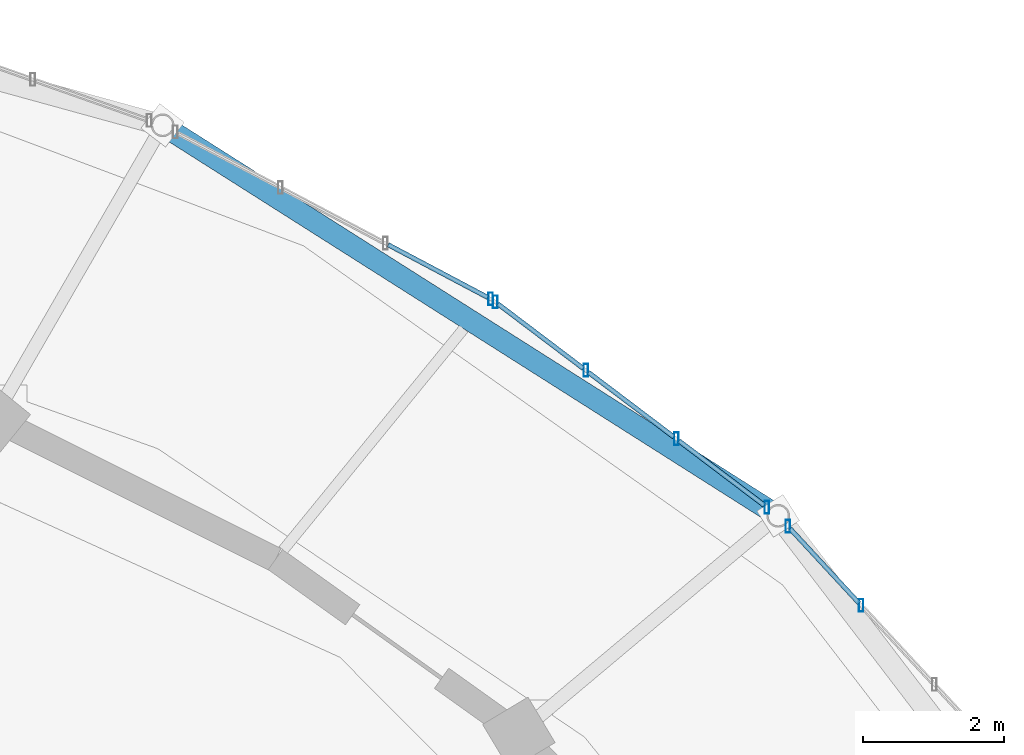
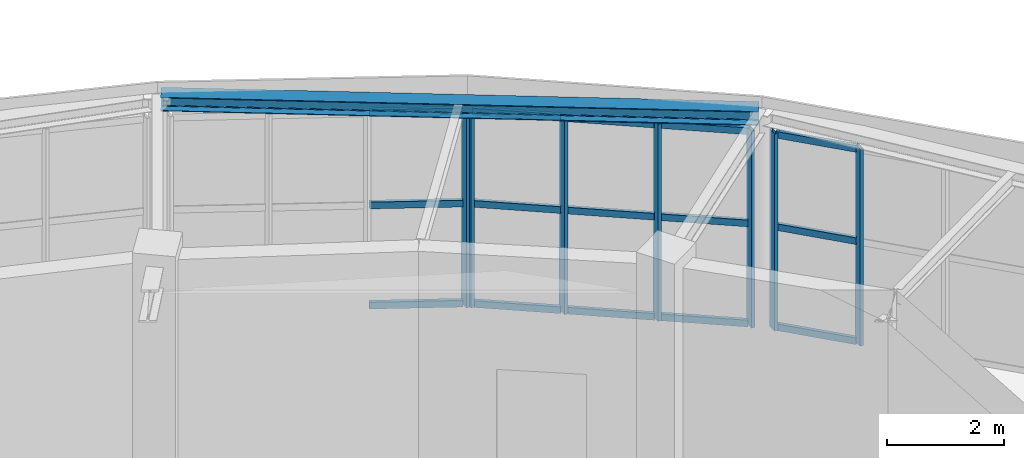
# One storey, part 63 of 108: 22 members, 1 beam, 3 elements without a shape of their own.
"""IFC4 building model written with IfcOpenShell, lengths in metres."""

from ifc_helpers import new_model, si_unit, direction, frame, origin, origin_2d, place, context, subcontext, project, spatial, hollow_rectangle, i_section, extrude, material, material_profile, profile_set, type_object, element, aggregate, save


model = new_model("IFC4")

# Units and contexts
model_context = context("Model", 3, precision=1e-05, world=origin(), true_north=direction((0.0, 1.0)))
body_context = subcontext(model_context, "Body", "Model", "MODEL_VIEW")
ifc_project = project(units=[si_unit("LENGTHUNIT", "METRE"), si_unit("AREAUNIT", "SQUARE_METRE"), si_unit("VOLUMEUNIT", "CUBIC_METRE"), si_unit("PLANEANGLEUNIT", "RADIAN"), si_unit("MASSUNIT", "GRAM", prefix="KILO")], contexts=[model_context])

# Site, building, storey
site_placement = place(None, origin())
site = spatial("IfcSite", under=ifc_project, at=site_placement, CompositionType="ELEMENT")
building_placement = place(site_placement, origin())
building = spatial("IfcBuilding", under=site, at=building_placement, Name="Tarnveldt Headland Concert Hall", CompositionType="ELEMENT")
storey_placement = place(building_placement, frame((0.0, 0.0, 9.60009765625)))
storey = spatial("IfcBuildingStorey", under=building, at=storey_placement, Name="L02", CompositionType="ELEMENT", Elevation=9.60009765625)

# Curtain wall, members
ifc_material_1 = material(Name="Marine-anodised aluminium EN AW-6063-T6", Category="aluminium")
curtain_wall_type = type_object("IfcCurtainWallType", Name="CW-F3", PredefinedType="NOTDEFINED", material=ifc_material_1)
curtain_wall_1_placement = place(storey_placement, origin())
curtain_wall_1 = element("IfcCurtainWall", 1, at=curtain_wall_1_placement, inside=storey, type_object=curtain_wall_type, Name="Curtain wall CW-L02-063", PredefinedType="NOTDEFINED")
ifc_material_profile_1 = material_profile(ifc_material_1, hollow_rectangle(XDim=0.06494140625, YDim=0.179931640625, WallThickness=0.00390625, at=origin_2d()), Name="ALU MULLION 65x180x4", Category="aluminium")
ifc_profile_set_1 = profile_set([ifc_material_profile_1], Name="Marine-anodised aluminium EN AW-6063-T6")
member_type_1 = type_object("IfcMemberType", Name="ML-180", PredefinedType="MULLION", material=ifc_profile_set_1)
member_1_placement = place(storey_placement, frame((109.8017578125, 69.171630859375, 0.0), z_axis=(0.0, 0.0, 1.0), x_axis=(1.0, 0.0, 0.0)))
member_1 = element("IfcMember", 2, at=member_1_placement, type_object=member_type_1, Name="Mullion CW-L02-063-3", PredefinedType="MULLION", context=body_context, shape_type="SweptSolid", body=[
    extrude(hollow_rectangle(XDim=0.06494140625, YDim=0.179931640625, WallThickness=0.00390625, at=origin_2d()), origin(), (0.0, 0.0, 1.0), 4.10791015625),
])
member_2_placement = place(storey_placement, frame((108.763427734375, 70.29296875, 0.0), z_axis=(0.0, 0.0, 1.0), x_axis=(1.0, 0.0, 0.0)))
member_2 = element("IfcMember", 3, at=member_2_placement, type_object=member_type_1, Name="Mullion CW-L02-063-4", PredefinedType="MULLION", context=body_context, shape_type="SweptSolid", body=[
    extrude(hollow_rectangle(XDim=0.06494140625, YDim=0.179931640625, WallThickness=0.00390625, at=origin_2d()), origin(), (0.0, 0.0, 1.0), 4.10791015625),
])

curtain_wall_2_placement = place(storey_placement, origin())
curtain_wall_2 = element("IfcCurtainWall", 4, at=curtain_wall_2_placement, inside=storey, type_object=curtain_wall_type, Name="Curtain wall CW-L02-064", PredefinedType="NOTDEFINED")
member_3_placement = place(storey_placement, frame((108.465087890625, 70.56298828125, 0.0), z_axis=(0.0, 0.0, 1.0), x_axis=(1.0, 0.0, 0.0)))
member_3 = element("IfcMember", 5, at=member_3_placement, type_object=member_type_1, Name="Mullion CW-L02-064-1", PredefinedType="MULLION", context=body_context, shape_type="SweptSolid", body=[
    extrude(hollow_rectangle(XDim=0.06494140625, YDim=0.179931640625, WallThickness=0.00390625, at=origin_2d()), origin(), (0.0, 0.0, 1.0), 4.10791015625),
])
member_4_placement = place(storey_placement, frame((107.181884765625, 71.533203125, 0.0), z_axis=(0.0, 0.0, 1.0), x_axis=(1.0, 0.0, 0.0)))
member_4 = element("IfcMember", 6, at=member_4_placement, type_object=member_type_1, Name="Mullion CW-L02-064-2", PredefinedType="MULLION", context=body_context, shape_type="SweptSolid", body=[
    extrude(hollow_rectangle(XDim=0.06494140625, YDim=0.179931640625, WallThickness=0.00390625, at=origin_2d()), origin(), (0.0, 0.0, 1.0), 4.10791015625),
])
member_5_placement = place(storey_placement, frame((105.898681640625, 72.50341796875, 0.0), z_axis=(0.0, 0.0, 1.0), x_axis=(1.0, 0.0, 0.0)))
member_5 = element("IfcMember", 7, at=member_5_placement, type_object=member_type_1, Name="Mullion CW-L02-064-3", PredefinedType="MULLION", context=body_context, shape_type="SweptSolid", body=[
    extrude(hollow_rectangle(XDim=0.06494140625, YDim=0.179931640625, WallThickness=0.00390625, at=origin_2d()), origin(), (0.0, 0.0, 1.0), 4.10791015625),
])
member_6_placement = place(storey_placement, frame((104.615234375, 73.473876953125, 0.0), z_axis=(0.0, 0.0, 1.0), x_axis=(1.0, 0.0, 0.0)))
member_6 = element("IfcMember", 8, at=member_6_placement, type_object=member_type_1, Name="Mullion CW-L02-064-4", PredefinedType="MULLION", context=body_context, shape_type="SweptSolid", body=[
    extrude(hollow_rectangle(XDim=0.06494140625, YDim=0.179931640625, WallThickness=0.00390625, at=origin_2d()), origin(), (0.0, 0.0, 1.0), 4.10791015625),
])

# Curtain wall, member
curtain_wall_3_placement = place(storey_placement, origin())
curtain_wall_3 = element("IfcCurtainWall", 9, at=curtain_wall_3_placement, inside=storey, type_object=curtain_wall_type, Name="Curtain wall CW-L02-065", PredefinedType="NOTDEFINED")
member_7_placement = place(storey_placement, frame((104.548095703125, 73.5166015625, 0.0), z_axis=(0.0, 0.0, 1.0), x_axis=(1.0, 0.0, 0.0)))
member_7 = element("IfcMember", 10, at=member_7_placement, type_object=member_type_1, Name="Mullion CW-L02-065-1", PredefinedType="MULLION", context=body_context, shape_type="SweptSolid", body=[
    extrude(hollow_rectangle(XDim=0.06494140625, YDim=0.179931640625, WallThickness=0.00390625, at=origin_2d()), origin(), (0.0, 0.0, 1.0), 4.10791015625),
])

# Beam
ifc_material_2 = material(Name="Steel S355", Category="steel")
ifc_material_profile_2 = material_profile(ifc_material_2, i_section(OverallWidth=0.300048828125, OverallDepth=0.2900390625, WebThickness=0.008544921875, FlangeThickness=0.013916015625, FilletRadius=0.027099609375, at=origin_2d()), Name="HEA300", Category="steel")
ifc_profile_set_2 = profile_set([ifc_material_profile_2], Name="Steel S355")
beam_type = type_object("IfcBeamType", Name="SB-HEA300", PredefinedType="SPANDREL", material=ifc_profile_set_2)
beam_placement = place(storey_placement, frame((108.57568359375, 70.47314453125, 4.4248046875), z_axis=(-0.844390967344, 0.535727444012, 0.0), x_axis=(-0.535727444012, -0.844390967344, 0.0)))
element("IfcBeam", 11, at=beam_placement, inside=storey, type_object=beam_type, Name="Framing beam L02-1001", PredefinedType="SPANDREL", context=body_context, shape_type="SweptSolid", body=[
    extrude(i_section(OverallWidth=0.300048828125, OverallDepth=0.2900390625, WebThickness=0.008544921875, FlangeThickness=0.013916015625, FilletRadius=0.027099609375, at=origin_2d()), origin(), (0.0, 0.0, 1.0), 10.21435546875),
])

# Member
ifc_material_profile_3 = material_profile(ifc_material_1, hollow_rectangle(XDim=0.06494140625, YDim=0.139892578125, WallThickness=0.00390625, at=origin_2d()), Name="ALU TRANSOM 65x140x4", Category="aluminium")
ifc_profile_set_3 = profile_set([ifc_material_profile_3], Name="Marine-anodised aluminium EN AW-6063-T6")
member_type_2 = type_object("IfcMemberType", Name="TR-140", PredefinedType="MEMBER", material=ifc_profile_set_3)
member_8_placement = place(storey_placement, frame((109.771484375, 69.204345703125, 0.0498046875), z_axis=(-0.679441860222, 0.733729349678, 0.0), x_axis=(-0.733729349678, -0.679441860222, 0.0)))
member_8 = element("IfcMember", 12, at=member_8_placement, type_object=member_type_2, Name="Transom CW-L02-063-3-1", PredefinedType="MEMBER", context=body_context, shape_type="SweptSolid", body=[
    extrude(hollow_rectangle(XDim=0.06494140625, YDim=0.139892578125, WallThickness=0.00390625, at=origin_2d()), origin(), (0.0, 0.0, 1.0), 1.439208984375),
])

member_9_placement = place(storey_placement, frame((109.771484375, 69.204345703125, 2.135986328125), z_axis=(-0.679441860222, 0.733729349678, 0.0), x_axis=(-0.733729349678, -0.679441860222, 0.0)))
member_9 = element("IfcMember", 13, at=member_9_placement, type_object=member_type_2, Name="Transom CW-L02-063-3-2", PredefinedType="MEMBER", context=body_context, shape_type="SweptSolid", body=[
    extrude(hollow_rectangle(XDim=0.06494140625, YDim=0.139892578125, WallThickness=0.00390625, at=origin_2d()), origin(), (0.0, 0.0, 1.0), 1.439208984375),
])

member_10_placement = place(storey_placement, frame((109.771484375, 69.204345703125, 4.057861328125), z_axis=(-0.679441860222, 0.733729349678, 0.0), x_axis=(-0.733729349678, -0.679441860222, 0.0)))
member_10 = element("IfcMember", 14, at=member_10_placement, type_object=member_type_2, Name="Transom CW-L02-063-3-3", PredefinedType="MEMBER", context=body_context, shape_type="SweptSolid", body=[
    extrude(hollow_rectangle(XDim=0.06494140625, YDim=0.139892578125, WallThickness=0.00390625, at=origin_2d()), origin(), (0.0, 0.0, 1.0), 1.439208984375),
])

aggregate(curtain_wall_1, [member_1, member_2, member_8, member_9, member_10])

member_11_placement = place(storey_placement, frame((108.4296875, 70.589599609375, 0.0498046875), z_axis=(-0.797642369129, 0.603130708031, 0.0), x_axis=(-0.603130708031, -0.797642369129, 0.0)))
member_11 = element("IfcMember", 15, at=member_11_placement, type_object=member_type_2, Name="Transom CW-L02-064-1-1", PredefinedType="MEMBER", context=body_context, shape_type="SweptSolid", body=[
    extrude(hollow_rectangle(XDim=0.06494140625, YDim=0.139892578125, WallThickness=0.00390625, at=origin_2d()), origin(), (0.0, 0.0, 1.0), 1.52001953125),
])

member_12_placement = place(storey_placement, frame((108.4296875, 70.589599609375, 2.135986328125), z_axis=(-0.797642369129, 0.603130708031, 0.0), x_axis=(-0.603130708031, -0.797642369129, 0.0)))
member_12 = element("IfcMember", 16, at=member_12_placement, type_object=member_type_2, Name="Transom CW-L02-064-1-2", PredefinedType="MEMBER", context=body_context, shape_type="SweptSolid", body=[
    extrude(hollow_rectangle(XDim=0.06494140625, YDim=0.139892578125, WallThickness=0.00390625, at=origin_2d()), origin(), (0.0, 0.0, 1.0), 1.52001953125),
])

member_13_placement = place(storey_placement, frame((108.4296875, 70.589599609375, 4.057861328125), z_axis=(-0.797642369129, 0.603130708031, 0.0), x_axis=(-0.603130708031, -0.797642369129, 0.0)))
member_13 = element("IfcMember", 17, at=member_13_placement, type_object=member_type_2, Name="Transom CW-L02-064-1-3", PredefinedType="MEMBER", context=body_context, shape_type="SweptSolid", body=[
    extrude(hollow_rectangle(XDim=0.06494140625, YDim=0.139892578125, WallThickness=0.00390625, at=origin_2d()), origin(), (0.0, 0.0, 1.0), 1.52001953125),
])

member_14_placement = place(storey_placement, frame((107.146484375, 71.56005859375, 0.0498046875), z_axis=(-0.797642369129, 0.603130708031, 0.0), x_axis=(-0.603130708031, -0.797642369129, 0.0)))
member_14 = element("IfcMember", 18, at=member_14_placement, type_object=member_type_2, Name="Transom CW-L02-064-2-1", PredefinedType="MEMBER", context=body_context, shape_type="SweptSolid", body=[
    extrude(hollow_rectangle(XDim=0.06494140625, YDim=0.139892578125, WallThickness=0.00390625, at=origin_2d()), origin(), (0.0, 0.0, 1.0), 1.52001953125),
])

member_15_placement = place(storey_placement, frame((107.146484375, 71.56005859375, 2.135986328125), z_axis=(-0.797642369129, 0.603130708031, 0.0), x_axis=(-0.603130708031, -0.797642369129, 0.0)))
member_15 = element("IfcMember", 19, at=member_15_placement, type_object=member_type_2, Name="Transom CW-L02-064-2-2", PredefinedType="MEMBER", context=body_context, shape_type="SweptSolid", body=[
    extrude(hollow_rectangle(XDim=0.06494140625, YDim=0.139892578125, WallThickness=0.00390625, at=origin_2d()), origin(), (0.0, 0.0, 1.0), 1.52001953125),
])

member_16_placement = place(storey_placement, frame((107.146484375, 71.56005859375, 4.057861328125), z_axis=(-0.797642369129, 0.603130708031, 0.0), x_axis=(-0.603130708031, -0.797642369129, 0.0)))
member_16 = element("IfcMember", 20, at=member_16_placement, type_object=member_type_2, Name="Transom CW-L02-064-2-3", PredefinedType="MEMBER", context=body_context, shape_type="SweptSolid", body=[
    extrude(hollow_rectangle(XDim=0.06494140625, YDim=0.139892578125, WallThickness=0.00390625, at=origin_2d()), origin(), (0.0, 0.0, 1.0), 1.52001953125),
])

member_17_placement = place(storey_placement, frame((105.863037109375, 72.5302734375, 0.0498046875), z_axis=(-0.797583929447, 0.603207986923, 0.0), x_axis=(-0.603207986923, -0.797583929447, 0.0)))
member_17 = element("IfcMember", 21, at=member_17_placement, type_object=member_type_2, Name="Transom CW-L02-064-3-1", PredefinedType="MEMBER", context=body_context, shape_type="SweptSolid", body=[
    extrude(hollow_rectangle(XDim=0.06494140625, YDim=0.139892578125, WallThickness=0.00390625, at=origin_2d()), origin(), (0.0, 0.0, 1.0), 1.519775390625),
])

member_18_placement = place(storey_placement, frame((105.863037109375, 72.5302734375, 2.135986328125), z_axis=(-0.797583929447, 0.603207986923, 0.0), x_axis=(-0.603207986923, -0.797583929447, 0.0)))
member_18 = element("IfcMember", 22, at=member_18_placement, type_object=member_type_2, Name="Transom CW-L02-064-3-2", PredefinedType="MEMBER", context=body_context, shape_type="SweptSolid", body=[
    extrude(hollow_rectangle(XDim=0.06494140625, YDim=0.139892578125, WallThickness=0.00390625, at=origin_2d()), origin(), (0.0, 0.0, 1.0), 1.519775390625),
])

member_19_placement = place(storey_placement, frame((105.863037109375, 72.5302734375, 4.057861328125), z_axis=(-0.797583929447, 0.603207986923, 0.0), x_axis=(-0.603207986923, -0.797583929447, 0.0)))
member_19 = element("IfcMember", 23, at=member_19_placement, type_object=member_type_2, Name="Transom CW-L02-064-3-3", PredefinedType="MEMBER", context=body_context, shape_type="SweptSolid", body=[
    extrude(hollow_rectangle(XDim=0.06494140625, YDim=0.139892578125, WallThickness=0.00390625, at=origin_2d()), origin(), (0.0, 0.0, 1.0), 1.519775390625),
])

aggregate(curtain_wall_2, [member_3, member_4, member_5, member_6, member_11, member_12, member_13, member_14, member_15, member_16, member_17, member_18, member_19])

member_20_placement = place(storey_placement, frame((104.5087890625, 73.537353515625, 0.0498046875), z_axis=(-0.883821383247, 0.467824499695, 0.0), x_axis=(-0.467824499695, -0.883821383247, 0.0)))
member_20 = element("IfcMember", 24, at=member_20_placement, type_object=member_type_2, Name="Transom CW-L02-065-1-1", PredefinedType="MEMBER", context=body_context, shape_type="SweptSolid", body=[
    extrude(hollow_rectangle(XDim=0.06494140625, YDim=0.139892578125, WallThickness=0.00390625, at=origin_2d()), origin(), (0.0, 0.0, 1.0), 1.596923828125),
])

member_21_placement = place(storey_placement, frame((104.5087890625, 73.537353515625, 2.135986328125), z_axis=(-0.883821383247, 0.467824499695, 0.0), x_axis=(-0.467824499695, -0.883821383247, 0.0)))
member_21 = element("IfcMember", 25, at=member_21_placement, type_object=member_type_2, Name="Transom CW-L02-065-1-2", PredefinedType="MEMBER", context=body_context, shape_type="SweptSolid", body=[
    extrude(hollow_rectangle(XDim=0.06494140625, YDim=0.139892578125, WallThickness=0.00390625, at=origin_2d()), origin(), (0.0, 0.0, 1.0), 1.596923828125),
])

member_22_placement = place(storey_placement, frame((104.5087890625, 73.537353515625, 4.057861328125), z_axis=(-0.883821383247, 0.467824499695, 0.0), x_axis=(-0.467824499695, -0.883821383247, 0.0)))
member_22 = element("IfcMember", 26, at=member_22_placement, type_object=member_type_2, Name="Transom CW-L02-065-1-3", PredefinedType="MEMBER", context=body_context, shape_type="SweptSolid", body=[
    extrude(hollow_rectangle(XDim=0.06494140625, YDim=0.139892578125, WallThickness=0.00390625, at=origin_2d()), origin(), (0.0, 0.0, 1.0), 1.596923828125),
])

aggregate(curtain_wall_3, [member_7, member_20, member_21, member_22])

save(model, "model.ifc")
